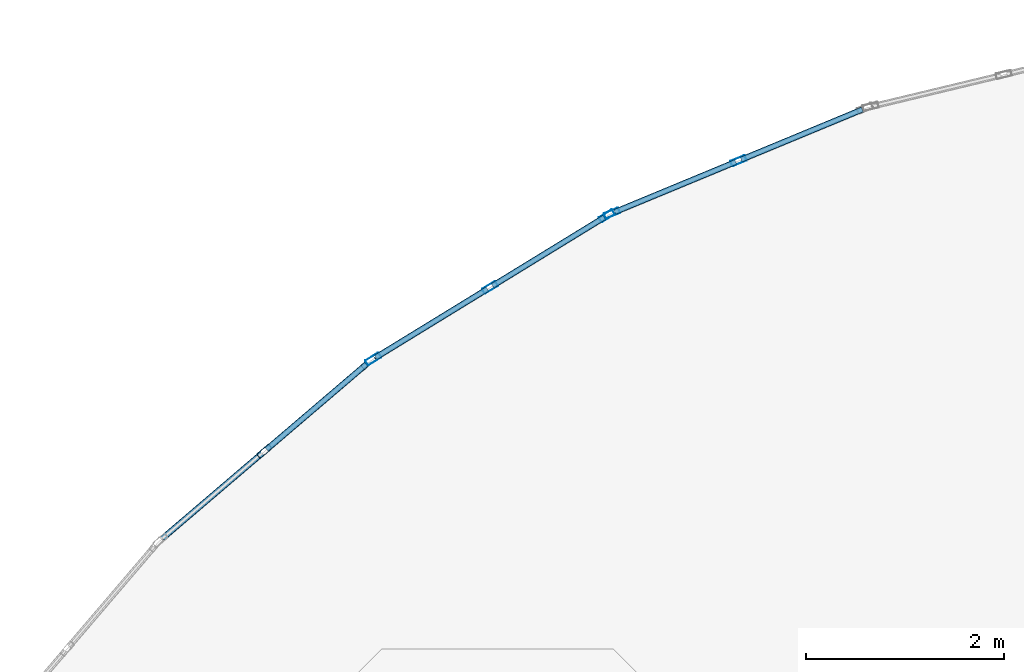
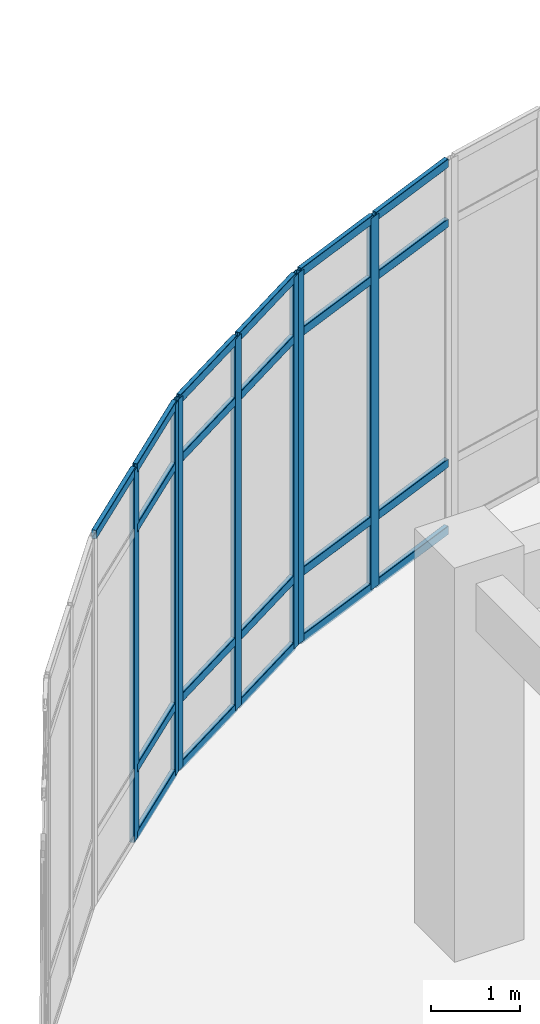
# One storey, part 45 of 114: 28 members, 3 elements without a shape of their own.
"""IFC4 building model written with IfcOpenShell, lengths in metres."""

from ifc_helpers import new_model, si_unit, derived_unit, direction, frame, origin, origin_2d, place, context, subcontext, project, spatial, hollow_rectangle, extrude, material, layer, layer_set, material_profile, profile_set, type_object, element, aggregate, save


model = new_model("IFC4")

# Units and contexts
model_context = context("Model", 3, precision=1e-05, world=origin(), true_north=direction((0.0, 1.0)))
body_context = subcontext(model_context, "Body", "Model", "MODEL_VIEW")
ifc_project = project(units=[si_unit("LENGTHUNIT", "METRE"), si_unit("AREAUNIT", "SQUARE_METRE"), si_unit("VOLUMEUNIT", "CUBIC_METRE"), si_unit("PLANEANGLEUNIT", "RADIAN"), si_unit("MASSUNIT", "GRAM", prefix="KILO"), derived_unit("THERMALTRANSMITTANCEUNIT", [(si_unit("MASSUNIT", "GRAM", prefix="KILO"), 1), (si_unit("TIMEUNIT", "SECOND"), -3), (si_unit("THERMODYNAMICTEMPERATUREUNIT", "KELVIN"), -1)])], contexts=[model_context])

# Site, building, storey
site_placement = place(None, origin())
site = spatial("IfcSite", under=ifc_project, at=site_placement, CompositionType="ELEMENT")
building_placement = place(site_placement, origin())
building = spatial("IfcBuilding", under=site, at=building_placement, Name="Qinzheling Arcade Emporium", CompositionType="ELEMENT")
storey_placement = place(building_placement, frame((0.0, 0.0, 6.0)))
storey = spatial("IfcBuildingStorey", under=building, at=storey_placement, Name="L02", CompositionType="ELEMENT", Elevation=6.0)

# Curtain wall, members
ifc_material_1 = material(Name="Anodised aluminium and solar-control double glazing", Category="aluminium")
ifc_layer = layer(ifc_material_1, 0.159912109375, Name="Anodised aluminium and solar-control double glazing", Category="aluminium")
ifc_layer_set = layer_set([ifc_layer], Name="Anodised aluminium and solar-control double glazing")
curtain_wall_type = type_object("IfcCurtainWallType", Name="Curved Ribbon Sales Curtain Wall", PredefinedType="NOTDEFINED", material=ifc_layer_set)
curtain_wall_1_placement = place(storey_placement, origin())
curtain_wall_1 = element("IfcCurtainWall", 1, at=curtain_wall_1_placement, inside=storey, type_object=curtain_wall_type, Name="Curtain Wall CW-L02-098", PredefinedType="NOTDEFINED")
ifc_material_2 = material(Name="Anodised aluminium 6063-T6", Category="aluminium")
ifc_material_profile_1 = material_profile(ifc_material_2, hollow_rectangle(XDim=0.06005859375, YDim=0.159912109375, WallThickness=0.00390625, InnerFilletRadius=0.00390625, OuterFilletRadius=0.008056640625, at=origin_2d()), Name="RHS 160x60x4", Category="aluminium")
ifc_profile_set_1 = profile_set([ifc_material_profile_1], Name="Anodised aluminium 6063-T6")
member_type_1 = type_object("IfcMemberType", Name="Curtain Wall Mullion RHS160x60", PredefinedType="MULLION", material=ifc_profile_set_1)
member_1_placement = place(storey_placement, frame((58.5458984375, 110.2451171875, 0.0), z_axis=(0.0, 0.0, 1.0), x_axis=(-0.64933231048, 0.760504799831, 0.0)))
member_1 = element("IfcMember", 2, at=member_1_placement, type_object=member_type_1, Name="CW02 mullion 2", PredefinedType="MULLION", context=body_context, shape_type="SweptSolid", body=[
    extrude(hollow_rectangle(XDim=0.06005859375, YDim=0.159912109375, WallThickness=0.00390625, InnerFilletRadius=0.00390625, OuterFilletRadius=0.008056640625, at=origin_2d()), origin(), (0.0, 0.0, 1.0), 5.090087890625),
])
member_2_placement = place(storey_placement, frame((59.59716796875, 111.142578125, 0.0), z_axis=(0.0, 0.0, 1.0), x_axis=(-0.64933231048, 0.760504799831, 0.0)))
member_2 = element("IfcMember", 3, at=member_2_placement, type_object=member_type_1, Name="CW02 mullion 3", PredefinedType="MULLION", context=body_context, shape_type="SweptSolid", body=[
    extrude(hollow_rectangle(XDim=0.06005859375, YDim=0.159912109375, WallThickness=0.00390625, InnerFilletRadius=0.00390625, OuterFilletRadius=0.008056640625, at=origin_2d()), origin(), (0.0, 0.0, 1.0), 5.090087890625),
])

curtain_wall_2_placement = place(storey_placement, origin())
curtain_wall_2 = element("IfcCurtainWall", 4, at=curtain_wall_2_placement, inside=storey, type_object=curtain_wall_type, Name="Curtain Wall CW-L02-099", PredefinedType="NOTDEFINED")
member_3_placement = place(storey_placement, frame((59.6455078125, 111.177734375, 0.0), z_axis=(0.0, 0.0, 1.0), x_axis=(-0.522595267575, 0.852580897222, 0.0)))
member_3 = element("IfcMember", 5, at=member_3_placement, type_object=member_type_1, Name="CW02 mullion 1", PredefinedType="MULLION", context=body_context, shape_type="SweptSolid", body=[
    extrude(hollow_rectangle(XDim=0.06005859375, YDim=0.159912109375, WallThickness=0.00390625, InnerFilletRadius=0.00390625, OuterFilletRadius=0.008056640625, at=origin_2d()), origin(), (0.0, 0.0, 1.0), 5.090087890625),
])
member_4_placement = place(storey_placement, frame((60.823974609375, 111.89990234375, 0.0), z_axis=(0.0, 0.0, 1.0), x_axis=(-0.522595267575, 0.852580897222, 0.0)))
member_4 = element("IfcMember", 6, at=member_4_placement, type_object=member_type_1, Name="CW02 mullion 2", PredefinedType="MULLION", context=body_context, shape_type="SweptSolid", body=[
    extrude(hollow_rectangle(XDim=0.06005859375, YDim=0.159912109375, WallThickness=0.00390625, InnerFilletRadius=0.00390625, OuterFilletRadius=0.008056640625, at=origin_2d()), origin(), (0.0, 0.0, 1.0), 5.090087890625),
])
member_5_placement = place(storey_placement, frame((62.00244140625, 112.622314453125, 0.0), z_axis=(0.0, 0.0, 1.0), x_axis=(-0.522595267575, 0.852580897222, 0.0)))
member_5 = element("IfcMember", 7, at=member_5_placement, type_object=member_type_1, Name="CW02 mullion 3", PredefinedType="MULLION", context=body_context, shape_type="SweptSolid", body=[
    extrude(hollow_rectangle(XDim=0.06005859375, YDim=0.159912109375, WallThickness=0.00390625, InnerFilletRadius=0.00390625, OuterFilletRadius=0.008056640625, at=origin_2d()), origin(), (0.0, 0.0, 1.0), 5.090087890625),
])

curtain_wall_3_placement = place(storey_placement, origin())
curtain_wall_3 = element("IfcCurtainWall", 8, at=curtain_wall_3_placement, inside=storey, type_object=curtain_wall_type, Name="Curtain Wall CW-L02-100", PredefinedType="NOTDEFINED")
member_6_placement = place(storey_placement, frame((62.0556640625, 112.6494140625, 0.0), z_axis=(0.0, 0.0, 1.0), x_axis=(-0.382654004198, 0.923891721508, 0.0)))
member_6 = element("IfcMember", 9, at=member_6_placement, type_object=member_type_1, Name="CW02 mullion 1", PredefinedType="MULLION", context=body_context, shape_type="SweptSolid", body=[
    extrude(hollow_rectangle(XDim=0.06005859375, YDim=0.159912109375, WallThickness=0.00390625, InnerFilletRadius=0.00390625, OuterFilletRadius=0.008056640625, at=origin_2d()), origin(), (0.0, 0.0, 1.0), 5.090087890625),
])
member_7_placement = place(storey_placement, frame((63.3330078125, 113.178466796875, 0.0), z_axis=(0.0, 0.0, 1.0), x_axis=(-0.382654004198, 0.923891721508, 0.0)))
member_7 = element("IfcMember", 10, at=member_7_placement, type_object=member_type_1, Name="CW02 mullion 2", PredefinedType="MULLION", context=body_context, shape_type="SweptSolid", body=[
    extrude(hollow_rectangle(XDim=0.06005859375, YDim=0.159912109375, WallThickness=0.00390625, InnerFilletRadius=0.00390625, OuterFilletRadius=0.008056640625, at=origin_2d()), origin(), (0.0, 0.0, 1.0), 5.090087890625),
])

# Member
ifc_material_profile_2 = material_profile(ifc_material_2, hollow_rectangle(XDim=0.06005859375, YDim=0.1201171875, WallThickness=0.00390625, InnerFilletRadius=0.00390625, OuterFilletRadius=0.008056640625, at=origin_2d()), Name="RHS 120x60x4", Category="aluminium")
ifc_profile_set_2 = profile_set([ifc_material_profile_2], Name="Anodised aluminium 6063-T6")
member_type_2 = type_object("IfcMemberType", Name="Curtain Wall Transom RHS120x60", PredefinedType="USERDEFINED", material=ifc_profile_set_2)
member_8_placement = place(storey_placement, frame((57.517578125, 109.366943359375, 5.06005859375), z_axis=(0.760493339257, 0.649345732985, 0.0), x_axis=(-0.649345732985, 0.760493339257, 0.0)))
member_8 = element("IfcMember", 11, at=member_8_placement, type_object=member_type_2, Name="CW02 transom 1.4", ObjectType="TRANSOM", PredefinedType="USERDEFINED", context=body_context, shape_type="SweptSolid", body=[
    extrude(hollow_rectangle(XDim=0.06005859375, YDim=0.1201171875, WallThickness=0.00390625, InnerFilletRadius=0.00390625, OuterFilletRadius=0.008056640625, at=origin_2d()), origin(), (0.0, 0.0, 1.0), 1.322265625),
])

member_9_placement = place(storey_placement, frame((58.56884765625, 110.264404296875, 0.030029296875), z_axis=(0.760493339257, 0.649345732985, 0.0), x_axis=(-0.649345732985, 0.760493339257, 0.0)))
member_9 = element("IfcMember", 12, at=member_9_placement, type_object=member_type_2, Name="CW02 transom 2.1", ObjectType="TRANSOM", PredefinedType="USERDEFINED", context=body_context, shape_type="SweptSolid", body=[
    extrude(hollow_rectangle(XDim=0.06005859375, YDim=0.1201171875, WallThickness=0.00390625, InnerFilletRadius=0.00390625, OuterFilletRadius=0.008056640625, at=origin_2d()), origin(), (0.0, 0.0, 1.0), 1.322265625),
])

member_10_placement = place(storey_placement, frame((58.56884765625, 110.264404296875, 0.949951171875), z_axis=(0.760493339257, 0.649345732985, 0.0), x_axis=(-0.649345732985, 0.760493339257, 0.0)))
member_10 = element("IfcMember", 13, at=member_10_placement, type_object=member_type_2, Name="CW02 transom 2.2", ObjectType="TRANSOM", PredefinedType="USERDEFINED", context=body_context, shape_type="SweptSolid", body=[
    extrude(hollow_rectangle(XDim=0.06005859375, YDim=0.1201171875, WallThickness=0.00390625, InnerFilletRadius=0.00390625, OuterFilletRadius=0.008056640625, at=origin_2d()), origin(), (0.0, 0.0, 1.0), 1.322265625),
])

member_11_placement = place(storey_placement, frame((58.56884765625, 110.264404296875, 4.239990234375), z_axis=(0.760493339257, 0.649345732985, 0.0), x_axis=(-0.649345732985, 0.760493339257, 0.0)))
member_11 = element("IfcMember", 14, at=member_11_placement, type_object=member_type_2, Name="CW02 transom 2.3", ObjectType="TRANSOM", PredefinedType="USERDEFINED", context=body_context, shape_type="SweptSolid", body=[
    extrude(hollow_rectangle(XDim=0.06005859375, YDim=0.1201171875, WallThickness=0.00390625, InnerFilletRadius=0.00390625, OuterFilletRadius=0.008056640625, at=origin_2d()), origin(), (0.0, 0.0, 1.0), 1.322265625),
])

member_12_placement = place(storey_placement, frame((58.56884765625, 110.264404296875, 5.06005859375), z_axis=(0.760493339257, 0.649345732985, 0.0), x_axis=(-0.649345732985, 0.760493339257, 0.0)))
member_12 = element("IfcMember", 15, at=member_12_placement, type_object=member_type_2, Name="CW02 transom 2.4", ObjectType="TRANSOM", PredefinedType="USERDEFINED", context=body_context, shape_type="SweptSolid", body=[
    extrude(hollow_rectangle(XDim=0.06005859375, YDim=0.1201171875, WallThickness=0.00390625, InnerFilletRadius=0.00390625, OuterFilletRadius=0.008056640625, at=origin_2d()), origin(), (0.0, 0.0, 1.0), 1.322265625),
])

aggregate(curtain_wall_1, [member_1, member_2, member_8, member_9, member_10, member_11, member_12])

member_13_placement = place(storey_placement, frame((59.671142578125, 111.193359375, 0.030029296875), z_axis=(0.852582673964, 0.522592368923, 0.0), x_axis=(-0.522592368923, 0.852582673964, 0.0)))
member_13 = element("IfcMember", 16, at=member_13_placement, type_object=member_type_2, Name="CW02 transom 1.1", ObjectType="TRANSOM", PredefinedType="USERDEFINED", context=body_context, shape_type="SweptSolid", body=[
    extrude(hollow_rectangle(XDim=0.06005859375, YDim=0.1201171875, WallThickness=0.00390625, InnerFilletRadius=0.00390625, OuterFilletRadius=0.008056640625, at=origin_2d()), origin(), (0.0, 0.0, 1.0), 1.322021484375),
])

member_14_placement = place(storey_placement, frame((59.671142578125, 111.193359375, 0.949951171875), z_axis=(0.852582673964, 0.522592368923, 0.0), x_axis=(-0.522592368923, 0.852582673964, 0.0)))
member_14 = element("IfcMember", 17, at=member_14_placement, type_object=member_type_2, Name="CW02 transom 1.2", ObjectType="TRANSOM", PredefinedType="USERDEFINED", context=body_context, shape_type="SweptSolid", body=[
    extrude(hollow_rectangle(XDim=0.06005859375, YDim=0.1201171875, WallThickness=0.00390625, InnerFilletRadius=0.00390625, OuterFilletRadius=0.008056640625, at=origin_2d()), origin(), (0.0, 0.0, 1.0), 1.322021484375),
])

member_15_placement = place(storey_placement, frame((59.671142578125, 111.193359375, 4.239990234375), z_axis=(0.852582673964, 0.522592368923, 0.0), x_axis=(-0.522592368923, 0.852582673964, 0.0)))
member_15 = element("IfcMember", 18, at=member_15_placement, type_object=member_type_2, Name="CW02 transom 1.3", ObjectType="TRANSOM", PredefinedType="USERDEFINED", context=body_context, shape_type="SweptSolid", body=[
    extrude(hollow_rectangle(XDim=0.06005859375, YDim=0.1201171875, WallThickness=0.00390625, InnerFilletRadius=0.00390625, OuterFilletRadius=0.008056640625, at=origin_2d()), origin(), (0.0, 0.0, 1.0), 1.322021484375),
])

member_16_placement = place(storey_placement, frame((59.671142578125, 111.193359375, 5.06005859375), z_axis=(0.852582673964, 0.522592368923, 0.0), x_axis=(-0.522592368923, 0.852582673964, 0.0)))
member_16 = element("IfcMember", 19, at=member_16_placement, type_object=member_type_2, Name="CW02 transom 1.4", ObjectType="TRANSOM", PredefinedType="USERDEFINED", context=body_context, shape_type="SweptSolid", body=[
    extrude(hollow_rectangle(XDim=0.06005859375, YDim=0.1201171875, WallThickness=0.00390625, InnerFilletRadius=0.00390625, OuterFilletRadius=0.008056640625, at=origin_2d()), origin(), (0.0, 0.0, 1.0), 1.322021484375),
])

member_17_placement = place(storey_placement, frame((60.849609375, 111.915771484375, 0.030029296875), z_axis=(0.852582673964, 0.522592368923, 0.0), x_axis=(-0.522592368923, 0.852582673964, 0.0)))
member_17 = element("IfcMember", 20, at=member_17_placement, type_object=member_type_2, Name="CW02 transom 2.1", ObjectType="TRANSOM", PredefinedType="USERDEFINED", context=body_context, shape_type="SweptSolid", body=[
    extrude(hollow_rectangle(XDim=0.06005859375, YDim=0.1201171875, WallThickness=0.00390625, InnerFilletRadius=0.00390625, OuterFilletRadius=0.008056640625, at=origin_2d()), origin(), (0.0, 0.0, 1.0), 1.322021484375),
])

member_18_placement = place(storey_placement, frame((60.849609375, 111.915771484375, 0.949951171875), z_axis=(0.852582673964, 0.522592368923, 0.0), x_axis=(-0.522592368923, 0.852582673964, 0.0)))
member_18 = element("IfcMember", 21, at=member_18_placement, type_object=member_type_2, Name="CW02 transom 2.2", ObjectType="TRANSOM", PredefinedType="USERDEFINED", context=body_context, shape_type="SweptSolid", body=[
    extrude(hollow_rectangle(XDim=0.06005859375, YDim=0.1201171875, WallThickness=0.00390625, InnerFilletRadius=0.00390625, OuterFilletRadius=0.008056640625, at=origin_2d()), origin(), (0.0, 0.0, 1.0), 1.322021484375),
])

member_19_placement = place(storey_placement, frame((60.849609375, 111.915771484375, 4.239990234375), z_axis=(0.852582673964, 0.522592368923, 0.0), x_axis=(-0.522592368923, 0.852582673964, 0.0)))
member_19 = element("IfcMember", 22, at=member_19_placement, type_object=member_type_2, Name="CW02 transom 2.3", ObjectType="TRANSOM", PredefinedType="USERDEFINED", context=body_context, shape_type="SweptSolid", body=[
    extrude(hollow_rectangle(XDim=0.06005859375, YDim=0.1201171875, WallThickness=0.00390625, InnerFilletRadius=0.00390625, OuterFilletRadius=0.008056640625, at=origin_2d()), origin(), (0.0, 0.0, 1.0), 1.322021484375),
])

member_20_placement = place(storey_placement, frame((60.849609375, 111.915771484375, 5.06005859375), z_axis=(0.852582673964, 0.522592368923, 0.0), x_axis=(-0.522592368923, 0.852582673964, 0.0)))
member_20 = element("IfcMember", 23, at=member_20_placement, type_object=member_type_2, Name="CW02 transom 2.4", ObjectType="TRANSOM", PredefinedType="USERDEFINED", context=body_context, shape_type="SweptSolid", body=[
    extrude(hollow_rectangle(XDim=0.06005859375, YDim=0.1201171875, WallThickness=0.00390625, InnerFilletRadius=0.00390625, OuterFilletRadius=0.008056640625, at=origin_2d()), origin(), (0.0, 0.0, 1.0), 1.322021484375),
])

aggregate(curtain_wall_2, [member_3, member_4, member_5, member_13, member_14, member_15, member_16, member_17, member_18, member_19, member_20])

member_21_placement = place(storey_placement, frame((62.08349609375, 112.660888671875, 0.030029296875), z_axis=(0.923861559167, 0.382726820974, 0.0), x_axis=(-0.382726820974, 0.923861559167, 0.0)))
member_21 = element("IfcMember", 24, at=member_21_placement, type_object=member_type_2, Name="CW02 transom 1.1", ObjectType="TRANSOM", PredefinedType="USERDEFINED", context=body_context, shape_type="SweptSolid", body=[
    extrude(hollow_rectangle(XDim=0.06005859375, YDim=0.1201171875, WallThickness=0.00390625, InnerFilletRadius=0.00390625, OuterFilletRadius=0.008056640625, at=origin_2d()), origin(), (0.0, 0.0, 1.0), 1.322265625),
])

member_22_placement = place(storey_placement, frame((62.08349609375, 112.660888671875, 0.949951171875), z_axis=(0.923861559167, 0.382726820974, 0.0), x_axis=(-0.382726820974, 0.923861559167, 0.0)))
member_22 = element("IfcMember", 25, at=member_22_placement, type_object=member_type_2, Name="CW02 transom 1.2", ObjectType="TRANSOM", PredefinedType="USERDEFINED", context=body_context, shape_type="SweptSolid", body=[
    extrude(hollow_rectangle(XDim=0.06005859375, YDim=0.1201171875, WallThickness=0.00390625, InnerFilletRadius=0.00390625, OuterFilletRadius=0.008056640625, at=origin_2d()), origin(), (0.0, 0.0, 1.0), 1.322265625),
])

member_23_placement = place(storey_placement, frame((62.08349609375, 112.660888671875, 4.239990234375), z_axis=(0.923861559167, 0.382726820974, 0.0), x_axis=(-0.382726820974, 0.923861559167, 0.0)))
member_23 = element("IfcMember", 26, at=member_23_placement, type_object=member_type_2, Name="CW02 transom 1.3", ObjectType="TRANSOM", PredefinedType="USERDEFINED", context=body_context, shape_type="SweptSolid", body=[
    extrude(hollow_rectangle(XDim=0.06005859375, YDim=0.1201171875, WallThickness=0.00390625, InnerFilletRadius=0.00390625, OuterFilletRadius=0.008056640625, at=origin_2d()), origin(), (0.0, 0.0, 1.0), 1.322265625),
])

member_24_placement = place(storey_placement, frame((62.08349609375, 112.660888671875, 5.06005859375), z_axis=(0.923861559167, 0.382726820974, 0.0), x_axis=(-0.382726820974, 0.923861559167, 0.0)))
member_24 = element("IfcMember", 27, at=member_24_placement, type_object=member_type_2, Name="CW02 transom 1.4", ObjectType="TRANSOM", PredefinedType="USERDEFINED", context=body_context, shape_type="SweptSolid", body=[
    extrude(hollow_rectangle(XDim=0.06005859375, YDim=0.1201171875, WallThickness=0.00390625, InnerFilletRadius=0.00390625, OuterFilletRadius=0.008056640625, at=origin_2d()), origin(), (0.0, 0.0, 1.0), 1.322265625),
])

member_25_placement = place(storey_placement, frame((63.360595703125, 113.18994140625, 0.030029296875), z_axis=(0.92388859603, 0.382661550363, 0.0), x_axis=(-0.382661550363, 0.92388859603, 0.0)))
member_25 = element("IfcMember", 28, at=member_25_placement, type_object=member_type_2, Name="CW02 transom 2.1", ObjectType="TRANSOM", PredefinedType="USERDEFINED", context=body_context, shape_type="SweptSolid", body=[
    extrude(hollow_rectangle(XDim=0.06005859375, YDim=0.1201171875, WallThickness=0.00390625, InnerFilletRadius=0.00390625, OuterFilletRadius=0.008056640625, at=origin_2d()), origin(), (0.0, 0.0, 1.0), 1.322509765625),
])

member_26_placement = place(storey_placement, frame((63.360595703125, 113.18994140625, 0.949951171875), z_axis=(0.92388859603, 0.382661550363, 0.0), x_axis=(-0.382661550363, 0.92388859603, 0.0)))
member_26 = element("IfcMember", 29, at=member_26_placement, type_object=member_type_2, Name="CW02 transom 2.2", ObjectType="TRANSOM", PredefinedType="USERDEFINED", context=body_context, shape_type="SweptSolid", body=[
    extrude(hollow_rectangle(XDim=0.06005859375, YDim=0.1201171875, WallThickness=0.00390625, InnerFilletRadius=0.00390625, OuterFilletRadius=0.008056640625, at=origin_2d()), origin(), (0.0, 0.0, 1.0), 1.322509765625),
])

member_27_placement = place(storey_placement, frame((63.360595703125, 113.18994140625, 4.239990234375), z_axis=(0.92388859603, 0.382661550363, 0.0), x_axis=(-0.382661550363, 0.92388859603, 0.0)))
member_27 = element("IfcMember", 30, at=member_27_placement, type_object=member_type_2, Name="CW02 transom 2.3", ObjectType="TRANSOM", PredefinedType="USERDEFINED", context=body_context, shape_type="SweptSolid", body=[
    extrude(hollow_rectangle(XDim=0.06005859375, YDim=0.1201171875, WallThickness=0.00390625, InnerFilletRadius=0.00390625, OuterFilletRadius=0.008056640625, at=origin_2d()), origin(), (0.0, 0.0, 1.0), 1.322509765625),
])

member_28_placement = place(storey_placement, frame((63.360595703125, 113.18994140625, 5.06005859375), z_axis=(0.92388859603, 0.382661550363, 0.0), x_axis=(-0.382661550363, 0.92388859603, 0.0)))
member_28 = element("IfcMember", 31, at=member_28_placement, type_object=member_type_2, Name="CW02 transom 2.4", ObjectType="TRANSOM", PredefinedType="USERDEFINED", context=body_context, shape_type="SweptSolid", body=[
    extrude(hollow_rectangle(XDim=0.06005859375, YDim=0.1201171875, WallThickness=0.00390625, InnerFilletRadius=0.00390625, OuterFilletRadius=0.008056640625, at=origin_2d()), origin(), (0.0, 0.0, 1.0), 1.322509765625),
])

aggregate(curtain_wall_3, [member_6, member_7, member_21, member_22, member_23, member_24, member_25, member_26, member_27, member_28])

save(model, "model.ifc")
